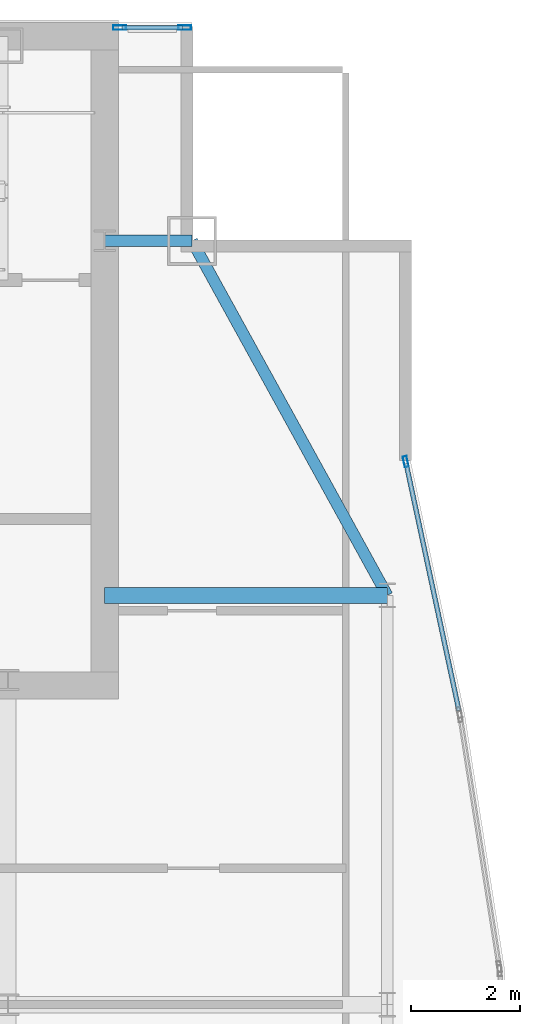
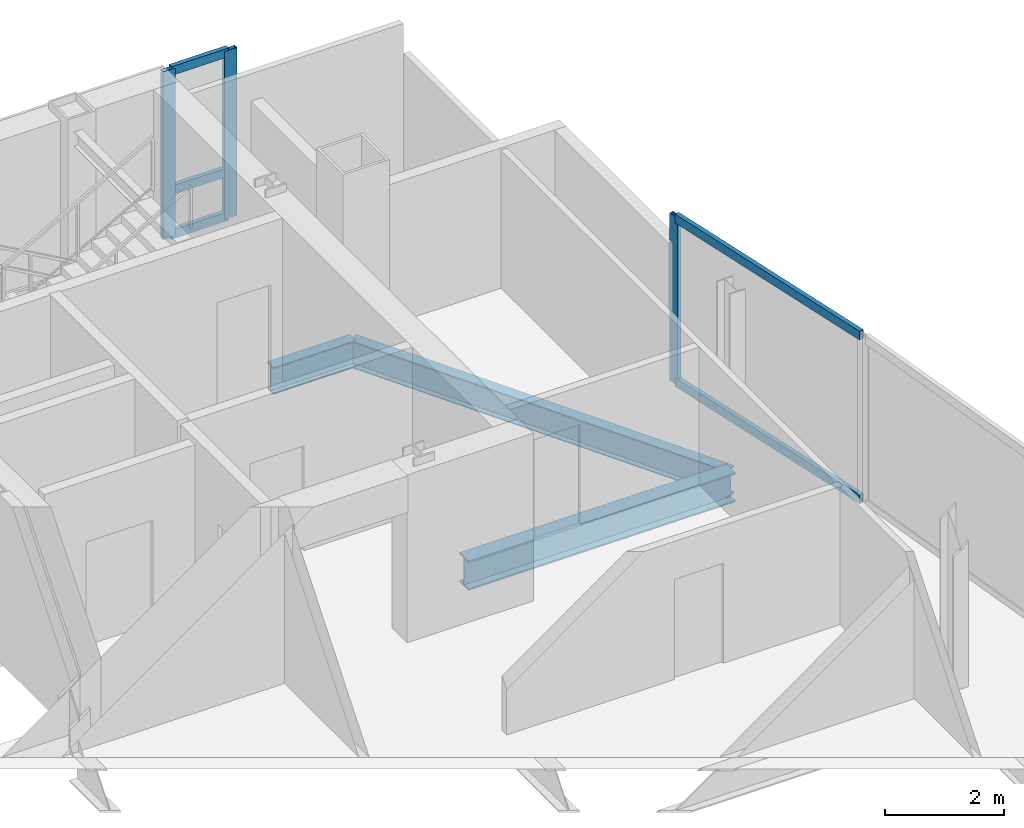
# One storey, part 22 of 29: 8 members, 3 beams, 2 elements without a shape of their own.
"""IFC4 building model written with IfcOpenShell, lengths in metres."""

from ifc_helpers import new_model, si_unit, direction, frame, origin, origin_2d, place, context, subcontext, project, spatial, hollow_rectangle, i_section, extrude, material, material_profile, profile_set, type_object, element, aggregate, save


model = new_model("IFC4")

# Units and contexts
model_context = context("Model", 3, precision=1e-05, world=origin(), true_north=direction((0.0, 1.0)))
body_context = subcontext(model_context, "Body", "Model", "MODEL_VIEW")
ifc_project = project(units=[si_unit("LENGTHUNIT", "METRE"), si_unit("AREAUNIT", "SQUARE_METRE"), si_unit("VOLUMEUNIT", "CUBIC_METRE"), si_unit("PLANEANGLEUNIT", "RADIAN"), si_unit("MASSUNIT", "GRAM", prefix="KILO")], contexts=[model_context])

# Site, building, storey
site_placement = place(None, origin())
site = spatial("IfcSite", under=ifc_project, at=site_placement, CompositionType="ELEMENT")
building_placement = place(site_placement, origin())
building = spatial("IfcBuilding", under=site, at=building_placement, Name="Khoronbel Lancet Exchange", CompositionType="ELEMENT")
storey_placement = place(building_placement, frame((0.0, 0.0, 329.0)))
storey = spatial("IfcBuildingStorey", under=building, at=storey_placement, Name="L85", CompositionType="ELEMENT", Elevation=329.0)

# Beams
ifc_material_1 = material(Name="Steel S355", Category="steel")
ifc_material_profile_1 = material_profile(ifc_material_1, i_section(OverallWidth=0.300048828125, OverallDepth=0.60009765625, WebThickness=0.015380859375, FlangeThickness=0.030029296875, at=origin_2d()), Name="HEB 600")
ifc_profile_set_1 = profile_set([ifc_material_profile_1], Name="Steel S355")
beam_type_1 = type_object("IfcBeamType", Name="BM-BG5", PredefinedType="BEAM", material=ifc_profile_set_1)
beam_1_placement = place(storey_placement, frame((56.449951171875, 43.199951171875, -0.4599609375), z_axis=(1.0, 0.0, 0.0), x_axis=(0.0, 1.0, 0.0)))
element("IfcBeam", 1, at=beam_1_placement, inside=storey, type_object=beam_type_1, Name="Level L85 east lens tie girder LG3E", PredefinedType="BEAM", context=body_context, shape_type="SweptSolid", body=[
    extrude(i_section(OverallWidth=0.300048828125, OverallDepth=0.60009765625, WebThickness=0.015380859375, FlangeThickness=0.030029296875, at=origin_2d()), origin(), (0.0, 0.0, 1.0), 5.179931640625),
])
ifc_material_profile_2 = material_profile(ifc_material_1, i_section(OverallWidth=0.2099609375, OverallDepth=0.550048828125, WebThickness=0.010986328125, FlangeThickness=0.01708984375, at=origin_2d()), Name="IPE 550")
ifc_profile_set_2 = profile_set([ifc_material_profile_2], Name="Steel S355")
beam_type_2 = type_object("IfcBeamType", Name="BM-BSP3", PredefinedType="SPANDREL", material=ifc_profile_set_2)
beam_2_placement = place(storey_placement, frame((61.6298828125, 43.199951171875, -0.43505859375), z_axis=(-0.482418808117, 0.875940690672, 0.0), x_axis=(-0.875940690672, -0.482418808117, 0.0)))
element("IfcBeam", 2, at=beam_2_placement, inside=storey, type_object=beam_type_2, Name="Level L85 perimeter spandrel beam SP13", PredefinedType="SPANDREL", context=body_context, shape_type="SweptSolid", body=[
    extrude(i_section(OverallWidth=0.2099609375, OverallDepth=0.550048828125, WebThickness=0.010986328125, FlangeThickness=0.01708984375, at=origin_2d()), origin(), (0.0, 0.0, 1.0), 7.420654296875),
])
beam_3_placement = place(storey_placement, frame((58.050048828125, 49.699951171875, -0.43505859375), z_axis=(-1.0, 0.0, 0.0), x_axis=(0.0, -1.0, 0.0)))
element("IfcBeam", 3, at=beam_3_placement, inside=storey, type_object=beam_type_2, Name="Level L85 north flank tie spandrel SP21", PredefinedType="SPANDREL", context=body_context, shape_type="SweptSolid", body=[
    extrude(i_section(OverallWidth=0.2099609375, OverallDepth=0.550048828125, WebThickness=0.010986328125, FlangeThickness=0.01708984375, at=origin_2d()), origin(), (0.0, 0.0, 1.0), 1.60009765625),
])

# Curtain wall, members
ifc_material_2 = material(Name="Low-E Solar Control Insulating Glass", Category="glass")
curtain_wall_type_1 = type_object("IfcCurtainWallType", Name="CW-3", PredefinedType="NOTDEFINED", material=ifc_material_2)
curtain_wall_1_placement = place(storey_placement, origin())
curtain_wall_1 = element("IfcCurtainWall", 4, at=curtain_wall_1_placement, inside=storey, type_object=curtain_wall_type_1, Name="Unitised curtain wall CW-L85-NEFLK", PredefinedType="NOTDEFINED")
ifc_material_3 = material(Name="Bronze-Anodised Aluminium 6063-T6", Category="aluminium")
ifc_material_profile_3 = material_profile(ifc_material_3, hollow_rectangle(XDim=0.0849609375, YDim=0.239990234375, WallThickness=0.006103515625, at=origin_2d()), Name="ALU MULLION 85x240")
ifc_profile_set_3 = profile_set([ifc_material_profile_3], Name="Bronze-Anodised Aluminium 6063-T6")
member_type_1 = type_object("IfcMemberType", Name="MEM-CWM1", PredefinedType="MULLION", material=ifc_profile_set_3)
member_1_placement = place(storey_placement, frame((57.91748046875, 53.610107421875, 0.0), z_axis=(0.0, 0.0, 1.0), x_axis=(0.0, -1.0, 0.0)))
member_1 = element("IfcMember", 5, at=member_1_placement, type_object=member_type_1, Name="CW3 mullion 1", PredefinedType="MULLION", context=body_context, shape_type="SweptSolid", body=[
    extrude(hollow_rectangle(XDim=0.0849609375, YDim=0.239990234375, WallThickness=0.006103515625, at=origin_2d()), origin(), (0.0, 0.0, 1.0), 3.43994140625),
])
member_2_placement = place(storey_placement, frame((56.722412109375, 53.610107421875, 0.0), z_axis=(0.0, 0.0, 1.0), x_axis=(0.0, -1.0, 0.0)))
member_2 = element("IfcMember", 6, at=member_2_placement, type_object=member_type_1, Name="CW3 mullion 2", PredefinedType="MULLION", context=body_context, shape_type="SweptSolid", body=[
    extrude(hollow_rectangle(XDim=0.0849609375, YDim=0.239990234375, WallThickness=0.006103515625, at=origin_2d()), origin(), (0.0, 0.0, 1.0), 3.43994140625),
])

# Curtain wall, member
curtain_wall_type_2 = type_object("IfcCurtainWallType", Name="CW-4", PredefinedType="NOTDEFINED", material=ifc_material_2)
curtain_wall_2_placement = place(storey_placement, origin())
curtain_wall_2 = element("IfcCurtainWall", 7, at=curtain_wall_2_placement, inside=storey, type_object=curtain_wall_type_2, Name="Unitised curtain wall CW-L85-E17", PredefinedType="NOTDEFINED")
ifc_material_profile_4 = material_profile(ifc_material_3, hollow_rectangle(XDim=0.074951171875, YDim=0.199951171875, WallThickness=0.0048828125, at=origin_2d()), Name="ALU MULLION 75x200")
ifc_profile_set_4 = profile_set([ifc_material_profile_4], Name="Bronze-Anodised Aluminium 6063-T6")
member_type_2 = type_object("IfcMemberType", Name="MEM-CWM2", PredefinedType="MULLION", material=ifc_profile_set_4)
member_3_placement = place(storey_placement, frame((61.9677734375, 45.65380859375, 0.0), z_axis=(0.0, 0.0, 1.0), x_axis=(0.977891735749, 0.209111819739, 0.0)))
member_3 = element("IfcMember", 8, at=member_3_placement, type_object=member_type_2, Name="CW4 mullion 1", PredefinedType="MULLION", context=body_context, shape_type="SweptSolid", body=[
    extrude(hollow_rectangle(XDim=0.074951171875, YDim=0.199951171875, WallThickness=0.0048828125, at=origin_2d()), origin(), (0.0, 0.0, 1.0), 3.43994140625),
])

# Member
ifc_material_profile_5 = material_profile(ifc_material_3, hollow_rectangle(XDim=0.0849609375, YDim=0.179931640625, WallThickness=0.0048828125, at=origin_2d()), Name="ALU TRANSOM 85x180")
ifc_profile_set_5 = profile_set([ifc_material_profile_5], Name="Bronze-Anodised Aluminium 6063-T6")
member_type_3 = type_object("IfcMemberType", Name="MEM-CWT1", PredefinedType="USERDEFINED", material=ifc_profile_set_5)
member_4_placement = place(storey_placement, frame((57.875, 53.610107421875, 0.04248046875), z_axis=(-1.0, 0.0, 0.0), x_axis=(0.0, -1.0, 0.0)))
member_4 = element("IfcMember", 9, at=member_4_placement, type_object=member_type_3, Name="CW3 transom 1.1", ObjectType="TRANSOM", PredefinedType="USERDEFINED", context=body_context, shape_type="SweptSolid", body=[
    extrude(hollow_rectangle(XDim=0.0849609375, YDim=0.179931640625, WallThickness=0.0048828125, at=origin_2d()), origin(), (0.0, 0.0, 1.0), 1.110107421875),
])

member_5_placement = place(storey_placement, frame((57.875, 53.610107421875, 0.949951171875), z_axis=(-1.0, 0.0, 0.0), x_axis=(0.0, -1.0, 0.0)))
member_5 = element("IfcMember", 10, at=member_5_placement, type_object=member_type_3, Name="CW3 transom 1.2", ObjectType="TRANSOM", PredefinedType="USERDEFINED", context=body_context, shape_type="SweptSolid", body=[
    extrude(hollow_rectangle(XDim=0.0849609375, YDim=0.179931640625, WallThickness=0.0048828125, at=origin_2d()), origin(), (0.0, 0.0, 1.0), 1.110107421875),
])

member_6_placement = place(storey_placement, frame((57.875, 53.610107421875, 3.3974609375), z_axis=(-1.0, 0.0, 0.0), x_axis=(0.0, -1.0, 0.0)))
member_6 = element("IfcMember", 11, at=member_6_placement, type_object=member_type_3, Name="CW3 transom 1.3", ObjectType="TRANSOM", PredefinedType="USERDEFINED", context=body_context, shape_type="SweptSolid", body=[
    extrude(hollow_rectangle(XDim=0.0849609375, YDim=0.179931640625, WallThickness=0.0048828125, at=origin_2d()), origin(), (0.0, 0.0, 1.0), 1.110107421875),
])

aggregate(curtain_wall_1, [member_1, member_2, member_4, member_5, member_6])

member_7_placement = place(storey_placement, frame((61.9755859375, 45.6171875, 0.04248046875), z_axis=(0.209111271548, -0.977891852973, 0.0), x_axis=(0.977891852973, 0.209111271548, 0.0)))
member_7 = element("IfcMember", 12, at=member_7_placement, type_object=member_type_3, Name="CW4 transom 1.1", ObjectType="TRANSOM", PredefinedType="USERDEFINED", context=body_context, shape_type="SweptSolid", body=[
    extrude(hollow_rectangle(XDim=0.0849609375, YDim=0.179931640625, WallThickness=0.0048828125, at=origin_2d()), origin(), (0.0, 0.0, 1.0), 4.629150390625),
])

member_8_placement = place(storey_placement, frame((61.9755859375, 45.6171875, 3.3974609375), z_axis=(0.209111271548, -0.977891852973, 0.0), x_axis=(0.977891852973, 0.209111271548, 0.0)))
member_8 = element("IfcMember", 13, at=member_8_placement, type_object=member_type_3, Name="CW4 transom 1.2", ObjectType="TRANSOM", PredefinedType="USERDEFINED", context=body_context, shape_type="SweptSolid", body=[
    extrude(hollow_rectangle(XDim=0.0849609375, YDim=0.179931640625, WallThickness=0.0048828125, at=origin_2d()), origin(), (0.0, 0.0, 1.0), 4.629150390625),
])

aggregate(curtain_wall_2, [member_3, member_7, member_8])

save(model, "model.ifc")
